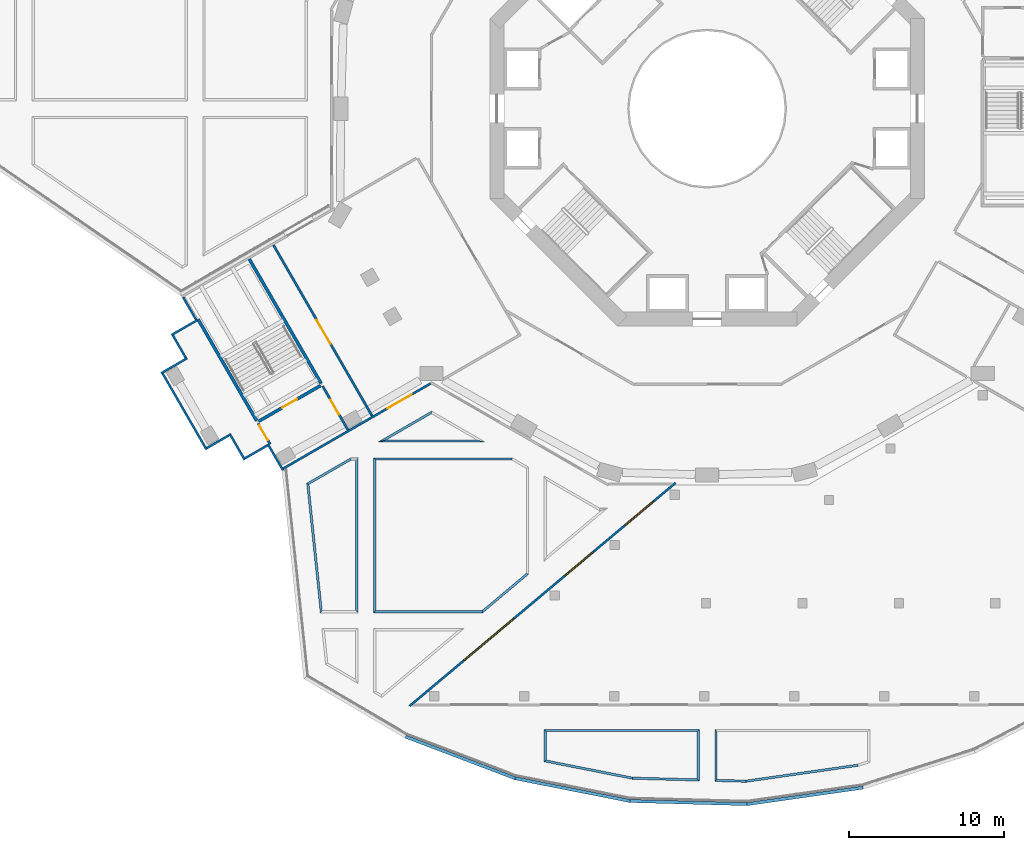
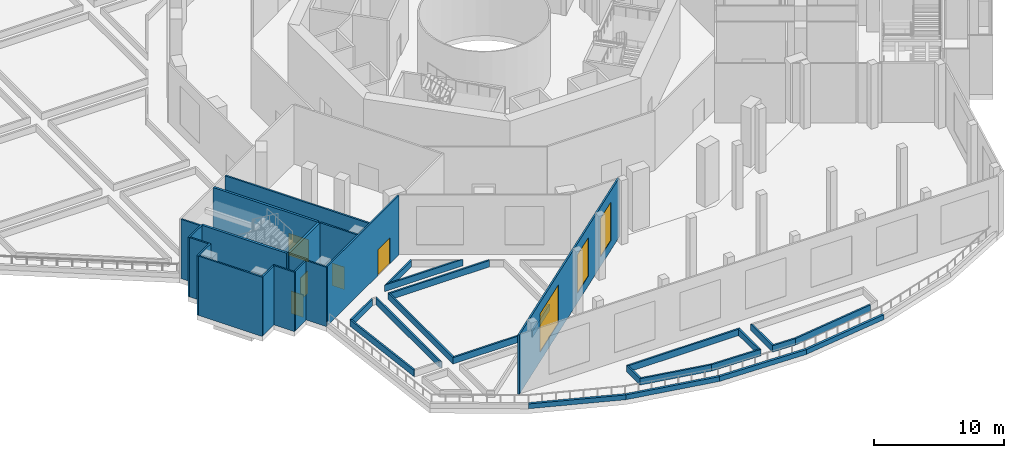
# One storey, part 3 of 29: 38 walls, 5 doors, 3 windows, 8 openings.
"""IFC4 building model written with IfcOpenShell, lengths in metres."""

from ifc_helpers import new_model, si_unit, direction, frame, frame_2d, origin, place, context, subcontext, project, spatial, polyline, rectangle, outline, extrude, material, layer, layer_set, type_object, element, fill, save


model = new_model("IFC4")

# Units and contexts
model_context = context("Model", 3, precision=1e-05, world=origin(), true_north=direction((0.0, 1.0)))
body_context = subcontext(model_context, "Body", "Model", "MODEL_VIEW")
ifc_project = project(units=[si_unit("LENGTHUNIT", "METRE"), si_unit("AREAUNIT", "SQUARE_METRE"), si_unit("VOLUMEUNIT", "CUBIC_METRE"), si_unit("PLANEANGLEUNIT", "RADIAN"), si_unit("MASSUNIT", "GRAM", prefix="KILO")], contexts=[model_context])

# Site, building, storey
site_placement = place(None, origin())
site = spatial("IfcSite", under=ifc_project, at=site_placement, CompositionType="ELEMENT")
building_placement = place(site_placement, origin())
building = spatial("IfcBuilding", under=site, at=building_placement, Name="Verdalira Terraces Hotel", CompositionType="ELEMENT")
storey_placement = place(building_placement, frame((0.0, 0.0, 8.0)))
storey = spatial("IfcBuildingStorey", under=building, at=storey_placement, Name="L01", CompositionType="ELEMENT", Elevation=8.0)

# Wall, opening, door
ifc_material_1 = material(Name="Gypsum board partition on steel stud", Category="steel")
ifc_layer_1 = layer(ifc_material_1, 0.14990234375)
ifc_layer_set_1 = layer_set([ifc_layer_1], Name="Fire-rated partition 150 mm")
wall_type_1 = type_object("IfcWallType", Name="Fire-rated partition 150 mm", PredefinedType="PARTITIONING", material=ifc_layer_set_1)
wall_1_placement = place(storey_placement, frame((-28.161621, -21.622803, 0.0), z_axis=(0.0, 0.0, 1.0), x_axis=(-0.499877454, 0.866096144, 0.0)))
wall_1 = element("IfcWall", 1, at=wall_1_placement, inside=storey, type_object=wall_type_1, Name="Partition", PredefinedType="PARTITIONING", context=body_context, shape_type="SweptSolid", body=[
    extrude(rectangle(XDim=1.54541, YDim=0.149902, at=frame_2d((0.772705, 0.0))), origin(), (0.0, 0.0, 1.0), 5.550049),
])
opening_1_placement = place(wall_1_placement, frame((0.29541, 0.0, 0.0)))
opening_1 = element("IfcOpeningElement", 2, at=opening_1_placement, cuts=wall_1, Name="Opening L01-D01", PredefinedType="OPENING", context=body_context, shape_type="SweptSolid", body=[
    extrude(rectangle(XDim=1.100098, YDim=2.100098, at=frame_2d((0.550049, 1.050049))), frame((0.0, 0.084961, 0.0), z_axis=(0.0, -1.0, 0.0), x_axis=(1.0, 0.0, 0.0)), (0.0, 0.0, 1.0), 0.169922),
])
ifc_material_2 = material(Name="Steel fire door", Category="steel")
door_type_1 = type_object("IfcDoorType", Name="Stair door 1100 x 2100", OperationType="SINGLE_SWING_LEFT", PredefinedType="DOOR", material=ifc_material_2)
door_1_placement = place(opening_1_placement, origin())
door_1 = element("IfcDoor", 3, at=door_1_placement, inside=storey, type_object=door_type_1, Name="Stair door Stair vestibule PS2", OperationType="SINGLE_SWING_RIGHT", OverallHeight=2.10009765625, OverallWidth=1.10009765625, PredefinedType="DOOR", context=body_context, shape_type="SweptSolid", body=[
    extrude(rectangle(XDim=1.100098, YDim=2.100098, at=frame_2d((0.550049, 1.050049))), frame((0.0, 0.024902, 0.0), z_axis=(0.0, -1.0, 0.0), x_axis=(1.0, 0.0, 0.0)), (0.0, 0.0, 1.0), 0.050049),
])
fill(opening_1, door_1)

wall_2_placement = place(storey_placement, frame((-24.777344, -17.884521, 0.0), z_axis=(0.0, 0.0, 1.0), x_axis=(0.499996863, -0.866027215, 0.0)))
wall_2 = element("IfcWall", 4, at=wall_2_placement, inside=storey, type_object=wall_type_1, Name="Partition", PredefinedType="PARTITIONING", context=body_context, shape_type="SweptSolid", body=[
    extrude(rectangle(XDim=3.260254, YDim=0.149902, at=frame_2d((1.630127, 0.0))), origin(), (0.0, 0.0, 1.0), 5.550049),
])
opening_2_placement = place(wall_2_placement, frame((1.010254, 0.0, 0.0)))
opening_2 = element("IfcOpeningElement", 5, at=opening_2_placement, cuts=wall_2, Name="Opening L01-D03", PredefinedType="OPENING", context=body_context, shape_type="SweptSolid", body=[
    extrude(rectangle(XDim=1.100098, YDim=2.100098, at=frame_2d((0.550049, 1.050049))), frame((0.0, 0.084961, 0.0), z_axis=(0.0, -1.0, 0.0), x_axis=(1.0, 0.0, 0.0)), (0.0, 0.0, 1.0), 0.169922),
])
door_2_placement = place(opening_2_placement, origin())
door_2 = element("IfcDoor", 6, at=door_2_placement, inside=storey, type_object=door_type_1, Name="Stair door Stair approach corridor", OperationType="SINGLE_SWING_RIGHT", OverallHeight=2.10009765625, OverallWidth=1.10009765625, PredefinedType="DOOR", context=body_context, shape_type="SweptSolid", body=[
    extrude(rectangle(XDim=1.100098, YDim=2.100098, at=frame_2d((0.550049, 1.050049))), frame((0.0, 0.024902, 0.0), z_axis=(0.0, -1.0, 0.0), x_axis=(1.0, 0.0, 0.0)), (0.0, 0.0, 1.0), 0.050049),
])
fill(opening_2, door_2)

wall_3_placement = place(storey_placement, frame((-21.588379, -19.807861, 0.0), z_axis=(0.0, 0.0, 1.0), x_axis=(-0.499991053, 0.866030569, 0.0)))
wall_3 = element("IfcWall", 7, at=wall_3_placement, inside=storey, type_object=wall_type_1, Name="Partition", PredefinedType="PARTITIONING", context=body_context, shape_type="SweptSolid", body=[
    extrude(rectangle(XDim=12.719971, YDim=0.149902, at=frame_2d((6.359863, 0.0))), origin(), (0.0, 0.0, 1.0), 5.550049),
])
opening_3_placement = place(wall_3_placement, frame((5.350098, 0.0, 0.0)))
opening_3 = element("IfcOpeningElement", 8, at=opening_3_placement, cuts=wall_3, Name="Opening L01-D04", PredefinedType="OPENING", context=body_context, shape_type="SweptSolid", body=[
    extrude(rectangle(XDim=1.800049, YDim=2.100098, at=frame_2d((0.899902, 1.050049))), frame((0.0, 0.084961, 0.0), z_axis=(0.0, -1.0, 0.0), x_axis=(1.0, 0.0, 0.0)), (0.0, 0.0, 1.0), 0.169922),
])
ifc_material_3 = material(Name="Steel fire door", Category="steel")
door_type_2 = type_object("IfcDoorType", Name="Fire door pair 1800 x 2100", OperationType="DOUBLE_DOOR_SINGLE_SWING", PredefinedType="DOOR", material=ifc_material_3)
door_3_placement = place(opening_3_placement, origin())
door_3 = element("IfcDoor", 9, at=door_3_placement, inside=storey, type_object=door_type_2, Name="Stair approach corridor door", OperationType="DOUBLE_DOOR_SINGLE_SWING", OverallHeight=2.10009765625, OverallWidth=1.800048828125, PredefinedType="DOOR", context=body_context, shape_type="SweptSolid", body=[
    extrude(rectangle(XDim=1.800049, YDim=2.100098, at=frame_2d((0.899902, 1.050049))), frame((0.0, 0.024902, 0.0), z_axis=(0.0, -1.0, 0.0), x_axis=(1.0, 0.0, 0.0)), (0.0, 0.0, 1.0), 0.050049),
])
fill(opening_3, door_3)

# Wall
ifc_material_4 = material(Name="Concrete C50", Category="concrete")
ifc_layer_2 = layer(ifc_material_4, 0.199951171875)
ifc_layer_set_2 = layer_set([ifc_layer_2], Name="Stair enclosure wall 200 mm")
wall_type_2 = type_object("IfcWallType", Name="Stair enclosure wall 200 mm", PredefinedType="SOLIDWALL", material=ifc_layer_set_2)
wall_4_placement = place(storey_placement, frame((-32.806641, -13.577148, 0.0), z_axis=(0.0, 0.0, 1.0), x_axis=(0.50000534, -0.866022321, 0.0)))
element("IfcWall", 10, at=wall_4_placement, inside=storey, type_object=wall_type_2, Name="Stair enclosure wall", PredefinedType="SOLIDWALL", context=body_context, shape_type="SweptSolid", body=[
    extrude(rectangle(XDim=7.54541, YDim=0.199951, at=frame_2d((3.772705, 0.0))), origin(), (0.0, 0.0, 1.0), 5.550049),
])

# Wall, opening, door
wall_5_placement = place(storey_placement, frame((-24.913818, -17.848145, 0.0), z_axis=(0.0, 0.0, 1.0), x_axis=(-0.86601677, -0.500014953, 0.0)))
wall_5 = element("IfcWall", 11, at=wall_5_placement, inside=storey, type_object=wall_type_2, Name="Stair enclosure wall", PredefinedType="SOLIDWALL", context=body_context, shape_type="SweptSolid", body=[
    extrude(rectangle(XDim=4.599854, YDim=0.199951, at=frame_2d((2.299805, 0.0))), origin(), (0.0, 0.0, 1.0), 5.550049),
])
opening_4_placement = place(wall_5_placement, frame((1.75, 0.0, 0.0)))
opening_4 = element("IfcOpeningElement", 12, at=opening_4_placement, cuts=wall_5, Name="Opening L01-D02", PredefinedType="OPENING", context=body_context, shape_type="SweptSolid", body=[
    extrude(rectangle(XDim=1.100098, YDim=2.100098, at=frame_2d((0.550049, 1.050049))), frame((0.0, 0.109863, 0.0), z_axis=(0.0, -1.0, 0.0), x_axis=(1.0, 0.0, 0.0)), (0.0, 0.0, 1.0), 0.219971),
])
door_4_placement = place(opening_4_placement, origin())
door_4 = element("IfcDoor", 13, at=door_4_placement, inside=storey, type_object=door_type_1, Name="Stair door Stair lobby PS2", OperationType="SINGLE_SWING_LEFT", OverallHeight=2.10009765625, OverallWidth=1.10009765625, PredefinedType="DOOR", context=body_context, shape_type="SweptSolid", body=[
    extrude(rectangle(XDim=1.100098, YDim=2.100098, at=frame_2d((0.550049, 1.050049))), frame((0.0, 0.024902, 0.0), z_axis=(0.0, -1.0, 0.0), x_axis=(1.0, 0.0, 0.0)), (0.0, 0.0, 1.0), 0.050049),
])
fill(opening_4, door_4)

# Walls
wall_6_placement = place(storey_placement, frame((-24.877197, -17.71167, 0.0), z_axis=(0.0, 0.0, 1.0), x_axis=(-0.499984148, 0.866034555, 0.0)))
element("IfcWall", 14, at=wall_6_placement, inside=storey, type_object=wall_type_2, Name="Stair enclosure wall", PredefinedType="SOLIDWALL", context=body_context, shape_type="SweptSolid", body=[
    extrude(rectangle(XDim=9.26001, YDim=0.199951, at=frame_2d((4.629883, 0.0))), origin(), (0.0, 0.0, 1.0), 5.550049),
])
ifc_material_5 = material(Name="Concrete C40", Category="concrete")
ifc_layer_3 = layer(ifc_material_5, 0.14990234375)
ifc_layer_set_3 = layer_set([ifc_layer_3], Name="Terrace planter trough 150 x 600")
wall_type_3 = type_object("IfcWallType", Name="Terrace planter trough 150 x 600", PredefinedType="SOLIDWALL", material=ifc_layer_set_3)
wall_7_placement = place(storey_placement, origin())
element("IfcWall", 15, at=wall_7_placement, inside=storey, type_object=wall_type_3, Name="Terrace planting bed trough", PredefinedType="SOLIDWALL", context=body_context, shape_type="SweptSolid", body=[
    extrude(outline(polyline([(-17.758301, -19.490479), (-21.239014, -21.5), (-20.679199, -21.350098), (-17.758301, -19.663574), (-17.758301, -19.490479)])), origin(), (0.0, 0.0, 1.0), 0.600098),
])
wall_8_placement = place(storey_placement, origin())
element("IfcWall", 16, at=wall_8_placement, inside=storey, type_object=wall_type_3, Name="Terrace planting bed trough", PredefinedType="SOLIDWALL", context=body_context, shape_type="SweptSolid", body=[
    extrude(outline(polyline([(-21.239014, -21.5), (-14.277588, -21.5), (-14.837402, -21.350098), (-20.679199, -21.350098), (-21.239014, -21.5)])), origin(), (0.0, 0.0, 1.0), 0.600098),
])
wall_9_placement = place(storey_placement, origin())
element("IfcWall", 17, at=wall_9_placement, inside=storey, type_object=wall_type_3, Name="Terrace planting bed trough", PredefinedType="SOLIDWALL", context=body_context, shape_type="SweptSolid", body=[
    extrude(outline(polyline([(-12.54541, -22.5), (-21.5, -22.5), (-21.350098, -22.649902), (-12.585693, -22.649902), (-12.54541, -22.5)])), origin(), (0.0, 0.0, 1.0), 0.600098),
])
wall_10_placement = place(storey_placement, origin())
element("IfcWall", 18, at=wall_10_placement, inside=storey, type_object=wall_type_3, Name="Terrace planting bed trough", PredefinedType="SOLIDWALL", context=body_context, shape_type="SweptSolid", body=[
    extrude(outline(polyline([(-21.5, -22.5), (-21.5, -32.5), (-21.350098, -32.350098), (-21.350098, -22.649902), (-21.5, -22.5)])), origin(), (0.0, 0.0, 1.0), 0.600098),
])
wall_11_placement = place(storey_placement, origin())
element("IfcWall", 19, at=wall_11_placement, inside=storey, type_object=wall_type_3, Name="Terrace planting bed trough", PredefinedType="SOLIDWALL", context=body_context, shape_type="SweptSolid", body=[
    extrude(outline(polyline([(-21.5, -32.5), (-14.463379, -32.5), (-14.518066, -32.350098), (-21.350098, -32.350098), (-21.5, -32.5)])), origin(), (0.0, 0.0, 1.0), 0.600098),
])
wall_12_placement = place(storey_placement, origin())
element("IfcWall", 20, at=wall_12_placement, inside=storey, type_object=wall_type_3, Name="Terrace planting bed trough", PredefinedType="SOLIDWALL", context=body_context, shape_type="SweptSolid", body=[
    extrude(outline(polyline([(-14.463379, -32.5), (-11.5, -30.013184), (-11.649902, -29.943359), (-14.518066, -32.350098), (-14.463379, -32.5)])), origin(), (0.0, 0.0, 1.0), 0.600098),
])
wall_13_placement = place(storey_placement, origin())
element("IfcWall", 21, at=wall_13_placement, inside=storey, type_object=wall_type_3, Name="Terrace planting bed trough", PredefinedType="SOLIDWALL", context=body_context, shape_type="SweptSolid", body=[
    extrude(outline(polyline([(-25.813721, -24.141113), (-24.935791, -32.5), (-24.800781, -32.350098), (-25.654297, -24.222412), (-25.813721, -24.141113)])), origin(), (0.0, 0.0, 1.0), 0.600098),
])
wall_14_placement = place(storey_placement, origin())
element("IfcWall", 22, at=wall_14_placement, inside=storey, type_object=wall_type_3, Name="Terrace planting bed trough", PredefinedType="SOLIDWALL", context=body_context, shape_type="SweptSolid", body=[
    extrude(outline(polyline([(-22.5, -32.5), (-22.5, -22.5), (-22.649902, -22.649902), (-22.649902, -32.350098), (-22.5, -32.5)])), origin(), (0.0, 0.0, 1.0), 0.600098),
])
wall_15_placement = place(storey_placement, origin())
element("IfcWall", 23, at=wall_15_placement, inside=storey, type_object=wall_type_3, Name="Terrace planting bed trough", PredefinedType="SOLIDWALL", context=body_context, shape_type="SweptSolid", body=[
    extrude(outline(polyline([(-22.971191, -22.5), (-25.813721, -24.141113), (-25.654297, -24.222412), (-22.930908, -22.649902), (-22.971191, -22.5)])), origin(), (0.0, 0.0, 1.0), 0.600098),
])
wall_16_placement = place(storey_placement, origin())
element("IfcWall", 24, at=wall_16_placement, inside=storey, type_object=wall_type_3, Name="Terrace planting bed trough", PredefinedType="SOLIDWALL", context=body_context, shape_type="SweptSolid", body=[
    extrude(outline(polyline([(2.497314, -43.422852), (9.738281, -42.390381), (9.70459, -42.243896), (2.48877, -43.272705), (2.497314, -43.422852)])), origin(), (0.0, 0.0, 1.0), 0.600098),
])
wall_17_placement = place(storey_placement, origin())
element("IfcWall", 25, at=wall_17_placement, inside=storey, type_object=wall_type_3, Name="Terrace planting bed trough", PredefinedType="SOLIDWALL", context=body_context, shape_type="SweptSolid", body=[
    extrude(outline(polyline([(0.5, -40.0), (0.5, -43.369385), (0.649902, -43.223389), (0.649902, -40.149902), (0.5, -40.0)])), origin(), (0.0, 0.0, 1.0), 0.600098),
])
wall_18_placement = place(storey_placement, origin())
element("IfcWall", 26, at=wall_18_placement, inside=storey, type_object=wall_type_3, Name="Terrace planting bed trough", PredefinedType="SOLIDWALL", context=body_context, shape_type="SweptSolid", body=[
    extrude(outline(polyline([(0.5, -43.369385), (2.497314, -43.422852), (2.48877, -43.272705), (0.649902, -43.223389), (0.5, -43.369385)])), origin(), (0.0, 0.0, 1.0), 0.600098),
])
wall_19_placement = place(storey_placement, origin())
element("IfcWall", 27, at=wall_19_placement, inside=storey, type_object=wall_type_3, Name="Terrace planting bed trough", PredefinedType="SOLIDWALL", context=body_context, shape_type="SweptSolid", body=[
    extrude(outline(polyline([(-4.814209, -43.227295), (-0.5, -43.342773), (-0.649902, -43.188721), (-4.797607, -43.077881), (-4.814209, -43.227295)])), origin(), (0.0, 0.0, 1.0), 0.600098),
])
wall_20_placement = place(storey_placement, origin())
element("IfcWall", 28, at=wall_20_placement, inside=storey, type_object=wall_type_3, Name="Terrace planting bed trough", PredefinedType="SOLIDWALL", context=body_context, shape_type="SweptSolid", body=[
    extrude(outline(polyline([(-0.5, -43.342773), (-0.5, -40.0), (-0.649902, -40.149902), (-0.649902, -43.188721), (-0.5, -43.342773)])), origin(), (0.0, 0.0, 1.0), 0.600098),
])
wall_21_placement = place(storey_placement, origin())
element("IfcWall", 29, at=wall_21_placement, inside=storey, type_object=wall_type_3, Name="Terrace planting bed trough", PredefinedType="SOLIDWALL", context=body_context, shape_type="SweptSolid", body=[
    extrude(outline(polyline([(-0.5, -40.0), (-10.5, -40.0), (-10.350098, -40.149902), (-0.649902, -40.149902), (-0.5, -40.0)])), origin(), (0.0, 0.0, 1.0), 0.600098),
])
wall_22_placement = place(storey_placement, origin())
element("IfcWall", 30, at=wall_22_placement, inside=storey, type_object=wall_type_3, Name="Terrace planting bed trough", PredefinedType="SOLIDWALL", context=body_context, shape_type="SweptSolid", body=[
    extrude(outline(polyline([(-10.5, -40.0), (-10.5, -42.104004), (-10.350098, -41.980713), (-10.350098, -40.149902), (-10.5, -40.0)])), origin(), (0.0, 0.0, 1.0), 0.600098),
])
wall_23_placement = place(storey_placement, origin())
element("IfcWall", 31, at=wall_23_placement, inside=storey, type_object=wall_type_3, Name="Terrace planting bed trough", PredefinedType="SOLIDWALL", context=body_context, shape_type="SweptSolid", body=[
    extrude(outline(polyline([(-10.5, -42.104004), (-4.814209, -43.227295), (-4.797607, -43.077881), (-10.350098, -41.980713), (-10.5, -42.104004)])), origin(), (0.0, 0.0, 1.0), 0.600098),
])
ifc_material_6 = material(Name="Concrete C40", Category="concrete")
ifc_layer_4 = layer(ifc_material_6, 0.199951171875)
ifc_layer_set_4 = layer_set([ifc_layer_4], Name="Terrace upstand 200 x 450")
wall_type_4 = type_object("IfcWallType", Name="Terrace upstand 200 x 450", PredefinedType="SOLIDWALL", material=ifc_layer_set_4)
wall_24_placement = place(storey_placement, origin())
element("IfcWall", 32, at=wall_24_placement, inside=storey, type_object=wall_type_4, Name="Terrace upstand", PredefinedType="SOLIDWALL", context=body_context, shape_type="SweptSolid", body=[
    extrude(outline(polyline([(-19.390869, -40.385254), (-19.477783, -40.566162), (-12.404785, -43.256592), (-12.349365, -43.063477), (-19.390869, -40.385254)])), origin(), (0.0, 0.0, 1.0), 0.449951),
])
wall_25_placement = place(storey_placement, origin())
element("IfcWall", 33, at=wall_25_placement, inside=storey, type_object=wall_type_4, Name="Terrace upstand", PredefinedType="SOLIDWALL", context=body_context, shape_type="SweptSolid", body=[
    extrude(outline(polyline([(-12.349365, -43.063477), (-12.404785, -43.256592), (-4.980957, -44.723389), (-4.95874, -44.523926), (-12.349365, -43.063477)])), origin(), (0.0, 0.0, 1.0), 0.449951),
])
wall_26_placement = place(storey_placement, origin())
element("IfcWall", 34, at=wall_26_placement, inside=storey, type_object=wall_type_4, Name="Terrace upstand", PredefinedType="SOLIDWALL", context=body_context, shape_type="SweptSolid", body=[
    extrude(outline(polyline([(-4.95874, -44.523926), (-4.980957, -44.723389), (2.58374, -44.925781), (2.572266, -44.725342), (-4.95874, -44.523926)])), origin(), (0.0, 0.0, 1.0), 0.449951),
])
wall_27_placement = place(storey_placement, origin())
element("IfcWall", 35, at=wall_27_placement, inside=storey, type_object=wall_type_4, Name="Terrace upstand", PredefinedType="SOLIDWALL", context=body_context, shape_type="SweptSolid", body=[
    extrude(outline(polyline([(2.572266, -44.725342), (2.58374, -44.925781), (10.075195, -43.857666), (10.030518, -43.662109), (2.572266, -44.725342)])), origin(), (0.0, 0.0, 1.0), 0.449951),
])
ifc_material_7 = material(Name="Concrete C40", Category="concrete")
ifc_layer_5 = layer(ifc_material_7, 0.139892578125)
ifc_layer_set_5 = layer_set([ifc_layer_5], Name="Terracotta clad concrete wall C40 140 mm")
wall_type_5 = type_object("IfcWallType", Name="Terracotta clad concrete wall C40 140 mm", PredefinedType="SOLIDWALL", material=ifc_layer_set_5)
wall_28_placement = place(storey_placement, frame((-33.776611, -12.156982, 0.0), z_axis=(0.0, 0.0, 1.0), x_axis=(0.499887958, -0.866090081, 0.0)))
element("IfcWall", 36, at=wall_28_placement, inside=storey, type_object=wall_type_5, Name="Podium facade wall", PredefinedType="SOLIDWALL", context=body_context, shape_type="SweptSolid", body=[
    extrude(rectangle(XDim=1.660156, YDim=0.139893, at=frame_2d((0.830078, 0.0))), origin(), (0.0, 0.0, 1.0), 5.550049),
])
wall_29_placement = place(storey_placement, frame((-32.851074, -13.620361, 0.0), z_axis=(0.0, 0.0, 1.0), x_axis=(-0.866011627, -0.500023862, 0.0)))
element("IfcWall", 37, at=wall_29_placement, inside=storey, type_object=wall_type_5, Name="Podium facade wall", PredefinedType="SOLIDWALL", context=body_context, shape_type="SweptSolid", body=[
    extrude(rectangle(XDim=1.939941, YDim=0.139893, at=frame_2d((0.969971, 0.0))), origin(), (0.0, 0.0, 1.0), 5.550049),
])
ifc_material_8 = material(Name="Terracotta cladding on steel stud backup", Category="masonry")
ifc_layer_6 = layer(ifc_material_8, 0.139892578125)
ifc_layer_set_6 = layer_set([ifc_layer_6], Name="Terracotta clad wall 140 mm")
wall_type_6 = type_object("IfcWallType", Name="Terracotta clad wall 140 mm", PredefinedType="SOLIDWALL", material=ifc_layer_set_6)
wall_30_placement = place(storey_placement, frame((-34.435547, -14.615967, 0.0), z_axis=(0.0, 0.0, 1.0), x_axis=(0.500061949, -0.865989634, 0.0)))
element("IfcWall", 38, at=wall_30_placement, inside=storey, type_object=wall_type_6, Name="Podium facade wall", PredefinedType="SOLIDWALL", context=body_context, shape_type="SweptSolid", body=[
    extrude(rectangle(XDim=1.659912, YDim=0.139893, at=frame_2d((0.830078, 0.0))), origin(), (0.0, 0.0, 1.0), 5.550049),
])
wall_31_placement = place(storey_placement, frame((-33.51001, -16.079102, 0.0), z_axis=(0.0, 0.0, 1.0), x_axis=(-0.866011627, -0.500023862, 0.0)))
element("IfcWall", 39, at=wall_31_placement, inside=storey, type_object=wall_type_6, Name="Podium facade wall", PredefinedType="SOLIDWALL", context=body_context, shape_type="SweptSolid", body=[
    extrude(rectangle(XDim=1.939941, YDim=0.139893, at=frame_2d((0.969971, 0.0))), origin(), (0.0, 0.0, 1.0), 5.550049),
])
wall_32_placement = place(storey_placement, frame((-35.094482, -17.074707, 0.0), z_axis=(0.0, 0.0, 1.0), x_axis=(0.499998748, -0.866026127, 0.0)))
element("IfcWall", 40, at=wall_32_placement, inside=storey, type_object=wall_type_6, Name="Podium facade wall", PredefinedType="SOLIDWALL", context=body_context, shape_type="SweptSolid", body=[
    extrude(rectangle(XDim=5.660156, YDim=0.139893, at=frame_2d((2.830078, 0.0))), origin(), (0.0, 0.0, 1.0), 5.550049),
])
wall_33_placement = place(storey_placement, frame((-32.23877, -21.880859, 0.0), z_axis=(0.0, 0.0, 1.0), x_axis=(0.866026406, 0.499998264, 0.0)))
element("IfcWall", 41, at=wall_33_placement, inside=storey, type_object=wall_type_6, Name="Podium facade wall", PredefinedType="SOLIDWALL", context=body_context, shape_type="SweptSolid", body=[
    extrude(rectangle(XDim=1.660156, YDim=0.139893, at=frame_2d((0.830078, 0.0))), origin(), (0.0, 0.0, 1.0), 5.550049),
])
wall_34_placement = place(storey_placement, frame((-30.775391, -20.955078, 0.0), z_axis=(0.0, 0.0, 1.0), x_axis=(0.499969368, -0.866043088, 0.0)))
element("IfcWall", 42, at=wall_34_placement, inside=storey, type_object=wall_type_6, Name="Podium facade wall", PredefinedType="SOLIDWALL", context=body_context, shape_type="SweptSolid", body=[
    extrude(rectangle(XDim=1.939941, YDim=0.139893, at=frame_2d((0.969971, 0.0))), origin(), (0.0, 0.0, 1.0), 5.550049),
])
wall_35_placement = place(storey_placement, frame((-29.779785, -22.539795, 0.0), z_axis=(0.0, 0.0, 1.0), x_axis=(0.865989634, 0.500061949, 0.0)))
element("IfcWall", 43, at=wall_35_placement, inside=storey, type_object=wall_type_6, Name="Podium facade wall", PredefinedType="SOLIDWALL", context=body_context, shape_type="SweptSolid", body=[
    extrude(rectangle(XDim=1.659912, YDim=0.139893, at=frame_2d((0.830078, 0.0))), origin(), (0.0, 0.0, 1.0), 5.550049),
])
wall_36_placement = place(storey_placement, frame((-28.31665, -21.614014, 0.0), z_axis=(0.0, 0.0, 1.0), x_axis=(0.499969368, -0.866043088, 0.0)))
element("IfcWall", 44, at=wall_36_placement, inside=storey, type_object=wall_type_6, Name="Podium facade wall", PredefinedType="SOLIDWALL", context=body_context, shape_type="SweptSolid", body=[
    extrude(rectangle(XDim=1.939941, YDim=0.139893, at=frame_2d((0.969971, 0.0))), origin(), (0.0, 0.0, 1.0), 5.550049),
])

# Wall, opening, door
wall_37_placement = place(storey_placement, frame((-27.321045, -23.198486, 0.0), z_axis=(0.0, 0.0, 1.0), x_axis=(0.866030546, 0.499991093, 0.0)))
wall_37 = element("IfcWall", 45, at=wall_37_placement, inside=storey, type_object=wall_type_6, Name="Podium facade wall", PredefinedType="SOLIDWALL", context=body_context, shape_type="SweptSolid", body=[
    extrude(rectangle(XDim=10.961182, YDim=0.139893, at=frame_2d((5.480469, 0.0))), origin(), (0.0, 0.0, 1.0), 5.550049),
])
opening_5_placement = place(wall_37_placement, frame((7.766846, 0.0, 0.0)))
opening_5 = element("IfcOpeningElement", 46, at=opening_5_placement, cuts=wall_37, Name="Opening L01-T05", PredefinedType="OPENING", context=body_context, shape_type="SweptSolid", body=[
    extrude(rectangle(XDim=1.800049, YDim=2.399902, at=frame_2d((0.899902, 1.199951))), frame((0.0, 0.079834, 0.0), z_axis=(0.0, -1.0, 0.0), x_axis=(1.0, 0.0, 0.0)), (0.0, 0.0, 1.0), 0.159912),
])
ifc_material_9 = material(Name="Glazed aluminium door", Category="aluminium")
door_type_3 = type_object("IfcDoorType", Name="Terrace door pair 1800 x 2400", OperationType="DOUBLE_DOOR_SINGLE_SWING", PredefinedType="DOOR", material=ifc_material_9)
door_5_placement = place(opening_5_placement, origin())
door_5 = element("IfcDoor", 47, at=door_5_placement, inside=storey, type_object=door_type_3, Name="Terrace door", OperationType="DOUBLE_DOOR_SINGLE_SWING", OverallHeight=2.39990234375, OverallWidth=1.800048828125, PredefinedType="DOOR", context=body_context, shape_type="SweptSolid", body=[
    extrude(rectangle(XDim=1.800049, YDim=2.399902, at=frame_2d((0.899902, 1.199951))), frame((0.0, 0.024902, 0.0), z_axis=(0.0, -1.0, 0.0), x_axis=(1.0, 0.0, 0.0)), (0.0, 0.0, 1.0), 0.050049),
])
fill(opening_5, door_5)

# Wall, openings, windows
wall_38_placement = place(storey_placement, frame((-2.031982, -24.118408, 0.0), z_axis=(0.0, 0.0, 1.0), x_axis=(-0.766046116, -0.642785616, 0.0)))
wall_38 = element("IfcWall", 48, at=wall_38_placement, inside=storey, type_object=wall_type_6, Name="Podium facade wall", PredefinedType="SOLIDWALL", context=body_context, shape_type="SweptSolid", body=[
    extrude(rectangle(XDim=22.373779, YDim=0.139893, at=frame_2d((11.187012, 0.0))), origin(), (0.0, 0.0, 1.0), 5.550049),
])
opening_6_placement = place(wall_38_placement, frame((1.855225, 0.0, 0.899902)))
opening_6 = element("IfcOpeningElement", 49, at=opening_6_placement, cuts=wall_38, Name="Opening WP", PredefinedType="OPENING", context=body_context, shape_type="SweptSolid", body=[
    extrude(rectangle(XDim=2.399902, YDim=3.600098, at=frame_2d((1.199951, 1.800049))), frame((0.0, 0.079834, 0.0), z_axis=(0.0, -1.0, 0.0), x_axis=(1.0, 0.0, 0.0)), (0.0, 0.0, 1.0), 0.159912),
])
opening_7_placement = place(wall_38_placement, frame((6.912109, 0.0, 0.899902)))
opening_7 = element("IfcOpeningElement", 50, at=opening_7_placement, cuts=wall_38, Name="Opening WP", PredefinedType="OPENING", context=body_context, shape_type="SweptSolid", body=[
    extrude(rectangle(XDim=2.399902, YDim=3.600098, at=frame_2d((1.199951, 1.800049))), frame((0.0, 0.079834, 0.0), z_axis=(0.0, -1.0, 0.0), x_axis=(1.0, 0.0, 0.0)), (0.0, 0.0, 1.0), 0.159912),
])
opening_8_placement = place(wall_38_placement, frame((13.597168, 0.0, 0.899902)))
opening_8 = element("IfcOpeningElement", 51, at=opening_8_placement, cuts=wall_38, Name="Opening WP", PredefinedType="OPENING", context=body_context, shape_type="SweptSolid", body=[
    extrude(rectangle(XDim=4.199951, YDim=3.600098, at=frame_2d((2.100098, 1.800049))), frame((0.0, 0.079834, 0.0), z_axis=(0.0, -1.0, 0.0), x_axis=(1.0, 0.0, 0.0)), (0.0, 0.0, 1.0), 0.159912),
])
ifc_material_10 = material(Name="Clear double glazing in aluminium frame", Category="aluminium")
window_type_1 = type_object("IfcWindowType", Name="Podium window 2400 x 3600", PartitioningType="SINGLE_PANEL", PredefinedType="WINDOW", material=ifc_material_10)
window_1_placement = place(opening_6_placement, origin())
window_1 = element("IfcWindow", 52, at=window_1_placement, inside=storey, type_object=window_type_1, Name="Podium window", OverallHeight=3.60009765625, OverallWidth=2.39990234375, PartitioningType="SINGLE_PANEL", PredefinedType="WINDOW", context=body_context, shape_type="SweptSolid", body=[
    extrude(rectangle(XDim=2.399902, YDim=3.600098, at=frame_2d((1.199951, 1.800049))), frame((0.0, 0.030029, 0.0), z_axis=(0.0, -1.0, 0.0), x_axis=(1.0, 0.0, 0.0)), (0.0, 0.0, 1.0), 0.060059),
])
fill(opening_6, window_1)
window_2_placement = place(opening_7_placement, origin())
window_2 = element("IfcWindow", 53, at=window_2_placement, inside=storey, type_object=window_type_1, Name="Podium window", OverallHeight=3.60009765625, OverallWidth=2.39990234375, PartitioningType="SINGLE_PANEL", PredefinedType="WINDOW", context=body_context, shape_type="SweptSolid", body=[
    extrude(rectangle(XDim=2.399902, YDim=3.600098, at=frame_2d((1.199951, 1.800049))), frame((0.0, 0.030029, 0.0), z_axis=(0.0, -1.0, 0.0), x_axis=(1.0, 0.0, 0.0)), (0.0, 0.0, 1.0), 0.060059),
])
fill(opening_7, window_2)
ifc_material_11 = material(Name="Clear double glazing in aluminium frame", Category="aluminium")
window_type_2 = type_object("IfcWindowType", Name="Podium window 4200 x 3600", PartitioningType="SINGLE_PANEL", PredefinedType="WINDOW", material=ifc_material_11)
window_3_placement = place(opening_8_placement, origin())
window_3 = element("IfcWindow", 54, at=window_3_placement, inside=storey, type_object=window_type_2, Name="Podium window", OverallHeight=3.60009765625, OverallWidth=4.199951171875, PartitioningType="SINGLE_PANEL", PredefinedType="WINDOW", context=body_context, shape_type="SweptSolid", body=[
    extrude(rectangle(XDim=4.199951, YDim=3.600098, at=frame_2d((2.100098, 1.800049))), frame((0.0, 0.030029, 0.0), z_axis=(0.0, -1.0, 0.0), x_axis=(1.0, 0.0, 0.0)), (0.0, 0.0, 1.0), 0.060059),
])
fill(opening_8, window_3)

save(model, "model.ifc")
